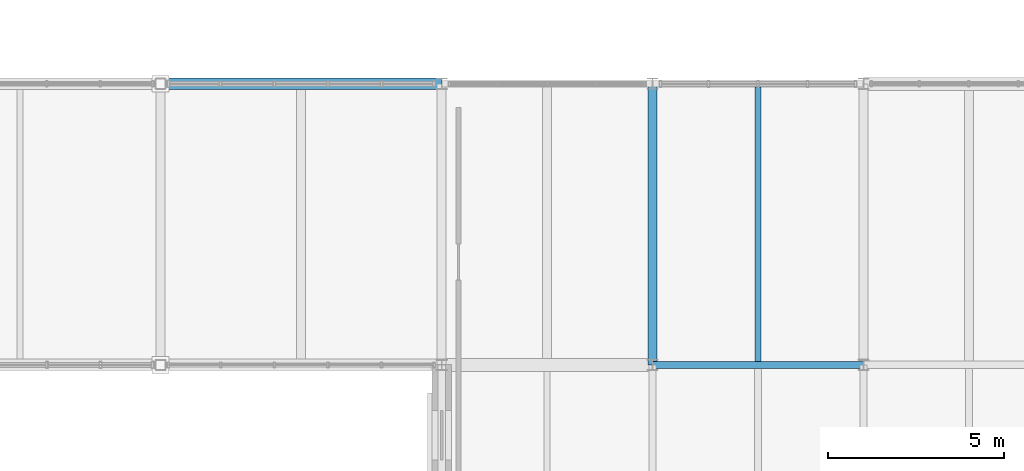
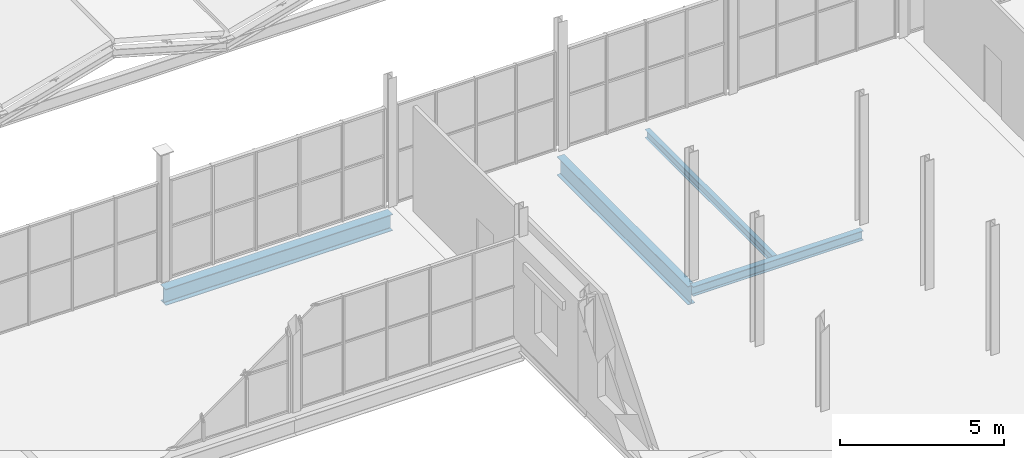
# One storey, part 72 of 114: 4 beams.
"""IFC4 building model written with IfcOpenShell, lengths in metres."""

from ifc_helpers import new_model, si_unit, direction, frame, origin, origin_2d, place, context, subcontext, project, spatial, i_section, extrude, material, material_profile, profile_set, type_object, element, save


model = new_model("IFC4")

# Units and contexts
model_context = context("Model", 3, precision=1e-05, world=origin(), true_north=direction((0.0, 1.0)))
body_context = subcontext(model_context, "Body", "Model", "MODEL_VIEW")
ifc_project = project(units=[si_unit("LENGTHUNIT", "METRE"), si_unit("AREAUNIT", "SQUARE_METRE"), si_unit("VOLUMEUNIT", "CUBIC_METRE"), si_unit("PLANEANGLEUNIT", "RADIAN"), si_unit("MASSUNIT", "GRAM", prefix="KILO")], contexts=[model_context])

# Site, building, storey
site_placement = place(None, origin())
site = spatial("IfcSite", under=ifc_project, at=site_placement, CompositionType="ELEMENT")
building_placement = place(site_placement, origin())
building = spatial("IfcBuilding", under=site, at=building_placement, Name="Verrall Gate Interchange", CompositionType="ELEMENT")
storey_placement = place(building_placement, frame((0.0, 0.0, 6.60009765625)))
storey = spatial("IfcBuildingStorey", under=building, at=storey_placement, Name="L02", CompositionType="ELEMENT", Elevation=6.60009765625)

# Beams
ifc_material_1 = material(Name="Structural Steel CSA G40.21 350WT Cat 4", Category="steel")
ifc_material_profile_1 = material_profile(ifc_material_1, i_section(OverallWidth=0.256103515625, OverallDepth=0.693115234375, WebThickness=0.01318359375, FlangeThickness=0.02001953125, FilletRadius=0.01611328125, at=origin_2d()), Name="W690x170")
ifc_profile_set_1 = profile_set([ifc_material_profile_1], Name="Structural Steel CSA G40.21 350WT Cat 4")
beam_type_1 = type_object("IfcBeamType", Name="B-07 Structural Beam W690x170", PredefinedType="BEAM", material=ifc_profile_set_1)
beam_1_placement = place(storey_placement, frame((138.0, 48.0, -0.626708984375), z_axis=(0.0, 1.0, 0.0), x_axis=(-1.0, 0.0, 0.0)))
element("IfcBeam", 1, at=beam_1_placement, inside=storey, type_object=beam_type_1, Name="L02 Girder BM-L02-1798 (B-07)", PredefinedType="BEAM", context=body_context, shape_type="SweptSolid", body=[
    extrude(i_section(OverallWidth=0.256103515625, OverallDepth=0.693115234375, WebThickness=0.01318359375, FlangeThickness=0.02001953125, FilletRadius=0.01611328125, at=origin_2d()), origin(), (0.0, 0.0, 1.0), 8.0),
])
ifc_material_2 = material(Name="Structural Steel CSA G40.21 350WT Cat 4", Category="steel")
ifc_material_profile_2 = material_profile(ifc_material_2, i_section(OverallWidth=0.323974609375, OverallDepth=0.611083984375, WebThickness=0.0126953125, FlangeThickness=0.01904296875, FilletRadius=0.014892578125, at=origin_2d()), Name="W610x155")
ifc_profile_set_2 = profile_set([ifc_material_profile_2], Name="Structural Steel CSA G40.21 350WT Cat 4")
beam_type_2 = type_object("IfcBeamType", Name="B-08 Structural Beam W610x155", PredefinedType="BEAM", material=ifc_profile_set_2)
beam_2_placement = place(storey_placement, frame((124.0, 56.0, -0.585693359375), z_axis=(1.0, 0.0, 0.0), x_axis=(0.0, 1.0, 0.0)))
element("IfcBeam", 2, at=beam_2_placement, inside=storey, type_object=beam_type_2, Name="L02 Girder BM-L02-1603 (B-08)", PredefinedType="BEAM", context=body_context, shape_type="SweptSolid", body=[
    extrude(i_section(OverallWidth=0.323974609375, OverallDepth=0.611083984375, WebThickness=0.0126953125, FlangeThickness=0.01904296875, FilletRadius=0.014892578125, at=origin_2d()), origin(), (0.0, 0.0, 1.0), 8.0),
])
ifc_material_3 = material(Name="Structural Steel CSA G40.21 350W", Category="steel")
ifc_material_profile_3 = material_profile(ifc_material_3, i_section(OverallWidth=0.205078125, OverallDepth=0.35400390625, WebThickness=0.009521484375, FlangeThickness=0.016845703125, FilletRadius=0.012939453125, at=origin_2d()), Name="W360x79")
ifc_profile_set_3 = profile_set([ifc_material_profile_3], Name="Structural Steel CSA G40.21 350W")
beam_type_3 = type_object("IfcBeamType", Name="B-14 Structural Beam W360x79", PredefinedType="BEAM", material=ifc_profile_set_3)
beam_3_placement = place(storey_placement, frame((138.0, 48.0, -0.45703125), z_axis=(1.0, 0.0, 0.0), x_axis=(0.0, 1.0, 0.0)))
element("IfcBeam", 3, at=beam_3_placement, inside=storey, type_object=beam_type_3, Name="L02 Girder BM-L02-1583 (B-14)", PredefinedType="BEAM", context=body_context, shape_type="SweptSolid", body=[
    extrude(i_section(OverallWidth=0.205078125, OverallDepth=0.35400390625, WebThickness=0.009521484375, FlangeThickness=0.016845703125, FilletRadius=0.012939453125, at=origin_2d()), origin(), (0.0, 0.0, 1.0), 6.0),
])
ifc_material_4 = material(Name="Structural Steel CSA G40.21 350W", Category="steel")
ifc_material_profile_4 = material_profile(ifc_material_4, i_section(OverallWidth=0.1650390625, OverallDepth=0.31005859375, WebThickness=0.005859375, FlangeThickness=0.009765625, FilletRadius=0.010009765625, at=origin_2d()), Name="W310x39")
ifc_profile_set_4 = profile_set([ifc_material_profile_4], Name="Structural Steel CSA G40.21 350W")
beam_type_4 = type_object("IfcBeamType", Name="J-04 Floor Joist W310x39", PredefinedType="JOIST", material=ifc_profile_set_4)
beam_4_placement = place(storey_placement, frame((141.0, 48.1025390625, -0.43505859375), z_axis=(0.0, 1.0, 0.0), x_axis=(-1.0, 0.0, 0.0)))
element("IfcBeam", 4, at=beam_4_placement, inside=storey, type_object=beam_type_4, Name="L02 Secondary Floor Joist JST-L02-1956", PredefinedType="JOIST", context=body_context, shape_type="SweptSolid", body=[
    extrude(i_section(OverallWidth=0.1650390625, OverallDepth=0.31005859375, WebThickness=0.005859375, FlangeThickness=0.009765625, FilletRadius=0.010009765625, at=origin_2d()), origin(), (0.0, 0.0, 1.0), 7.807861328125),
])

save(model, "model.ifc")
